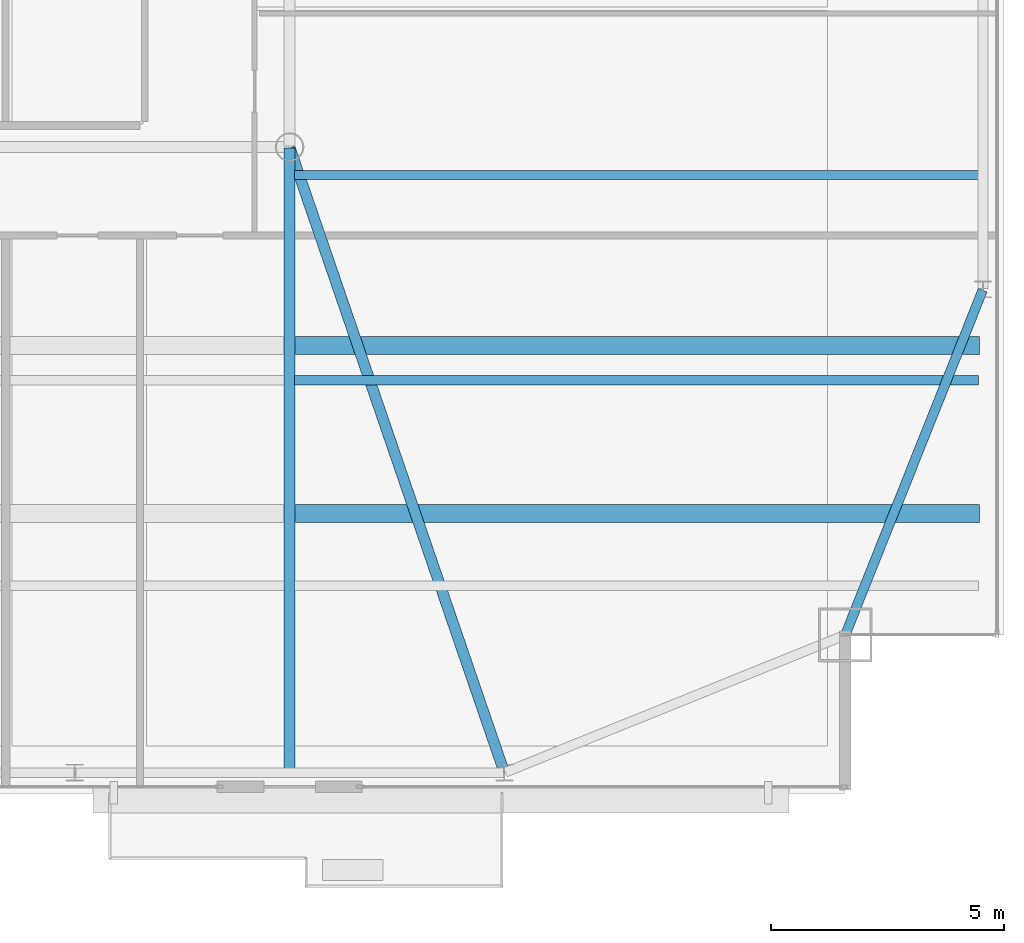
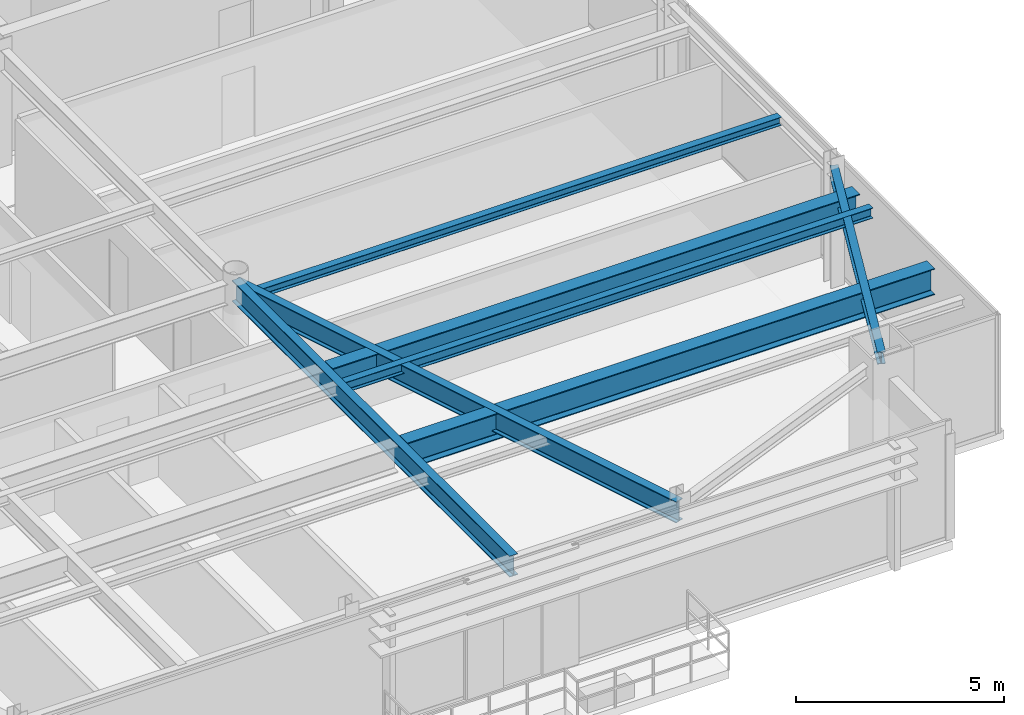
# One storey, part 16 of 28: 7 beams.
"""IFC4 building model written with IfcOpenShell, lengths in metres."""

import ifcopenshell
import ifcopenshell.guid

model = None  # the IFC model being written
_history = None  # IfcOwnerHistory: only IFC2X3 demands one
_inside = {}  # id of a spatial element -> (the spatial element, [elements in it])
_under = {}  # id of a project, library or spatial element -> (it, [spatial elements below it])
_declared = {}  # id of a project -> (the project, [libraries it declares])
_typed = {}  # id of a type object -> (the type object, [elements of that type])
_made_of = {}  # id of a material, layer set ... -> (it, [elements and type objects made of it])


def new_model(schema):
    """Start an empty IFC model of exactly this schema.

    Asked for "IFC4X3", IfcOpenShell would pick the latest addendum, in which some entities
    have other attributes; the version numbers below select the first issue.
    IFC2X3 requires an IfcOwnerHistory on every rooted entity: one is made here for all.
    """
    global model, _history
    if schema == "IFC4X3":
        model = ifcopenshell.file(schema_version=(4, 3, 0, 0))
    else:
        model = ifcopenshell.file(schema=schema)
    _inside.clear()
    _under.clear()
    _declared.clear()
    _typed.clear()
    _made_of.clear()
    _history = None
    if model.schema == "IFC2X3":
        org = make("IfcOrganization", Name="unknown")
        user = make(
            "IfcPersonAndOrganization",
            ThePerson=make("IfcPerson", FamilyName="unknown"),
            TheOrganization=org,
        )
        app = make(
            "IfcApplication",
            ApplicationDeveloper=org,
            Version="unknown",
            ApplicationFullName="unknown",
            ApplicationIdentifier="unknown",
        )
        _history = make(
            "IfcOwnerHistory",
            OwningUser=user,
            OwningApplication=app,
            ChangeAction="ADDED",
            CreationDate=0,
        )
    return model


def make(cls, **values):
    """One entity of the class cls with the attributes given. An attribute that is None is left unset."""
    return model.create_entity(
        cls, **{name: value for name, value in values.items() if value is not None}
    )


def rooted(cls, **values):
    """An entity with a GlobalId (a new one), such as an element, a storey or a relation."""
    return make(cls, GlobalId=ifcopenshell.guid.new(), OwnerHistory=_history, **values)


def si_unit(unit_type, name, prefix=None):
    """IfcSIUnit, for example si_unit("LENGTHUNIT", "METRE", prefix="MILLI")."""
    return make("IfcSIUnit", UnitType=unit_type, Prefix=prefix, Name=name)


def assignment(units):
    """IfcUnitAssignment: the units of a project."""
    return None if units is None else make("IfcUnitAssignment", Units=units)


def point(xyz):
    """IfcCartesianPoint."""
    return None if xyz is None else make("IfcCartesianPoint", Coordinates=xyz)


def direction(xyz):
    """IfcDirection."""
    return None if xyz is None else make("IfcDirection", DirectionRatios=xyz)


def frame(location, z_axis=None, x_axis=None):
    """IfcAxis2Placement3D, a coordinate frame: its origin and axes. An axis left out is left unset."""
    return make(
        "IfcAxis2Placement3D",
        Location=point(location),
        Axis=direction(z_axis),
        RefDirection=direction(x_axis),
    )


def frame_2d(location, x_axis=None):
    """IfcAxis2Placement2D, a coordinate frame in the plane: its origin and x axis."""
    return make(
        "IfcAxis2Placement2D", Location=point(location), RefDirection=direction(x_axis)
    )


def origin():
    """The frame at (0, 0, 0) with its axes left unset."""
    return frame((0.0, 0.0, 0.0))


def origin_2d():
    """The frame at (0, 0) in the plane with its x axis left unset."""
    return frame_2d((0.0, 0.0))


def place(relative_to, where):
    """IfcLocalPlacement: puts the frame where relative to a parent placement (None: the world)."""
    return make(
        "IfcLocalPlacement", PlacementRelTo=relative_to, RelativePlacement=where
    )


def context(
    kind, dimensions, precision=None, world=None, true_north=None, identifier=None
):
    """IfcGeometricRepresentationContext, for example the 3D "Model" context."""
    return make(
        "IfcGeometricRepresentationContext",
        ContextIdentifier=identifier,
        ContextType=kind,
        CoordinateSpaceDimension=dimensions,
        Precision=precision,
        WorldCoordinateSystem=world,
        TrueNorth=true_north,
    )


def subcontext(parent, identifier, kind, view, scale=None):
    """IfcGeometricRepresentationSubContext, for example "Body" below "Model"."""
    return make(
        "IfcGeometricRepresentationSubContext",
        ContextIdentifier=identifier,
        ContextType=kind,
        ParentContext=parent,
        TargetScale=scale,
        TargetView=view,
    )


def project(units=None, contexts=None):
    """IfcProject with its units and contexts."""
    return rooted(
        "IfcProject",
        Name="project",
        RepresentationContexts=contexts,
        UnitsInContext=assignment(units),
    )


def spatial(cls, under=None, at=None, **own):
    """A site, building, storey or space (cls), placed at a placement, below another one or the project."""
    s = rooted(cls, ObjectPlacement=at, **own)
    if under is not None:
        _under.setdefault(under.id(), (under, []))[1].append(s)
    return s


def profile(cls, at=None, kind="AREA", **sizes):
    """A parametric profile (cls). Its sizes go by their IFC names, for example OverallWidth=200.0."""
    return make(cls, ProfileType=kind, Position=at, **sizes)


def i_section(**sizes):
    """IfcIShapeProfileDef."""
    return profile("IfcIShapeProfileDef", **sizes)


def extrude(swept, where, along, depth):
    """IfcExtrudedAreaSolid: the profile swept, set in the frame where, extruded along a direction by depth."""
    return make(
        "IfcExtrudedAreaSolid",
        SweptArea=swept,
        Position=where,
        ExtrudedDirection=direction(along),
        Depth=depth,
    )


def shape(context_of_items, identifier, shape_type, items):
    """IfcShapeRepresentation: the items that make up one representation, for example the "Body"."""
    return make(
        "IfcShapeRepresentation",
        ContextOfItems=context_of_items,
        RepresentationIdentifier=identifier,
        RepresentationType=shape_type,
        Items=items,
    )


def source(mapping_origin, context_of_items, identifier, shape_type, items):
    """IfcRepresentationMap: a shape defined once, which mapped items show again and again."""
    return make(
        "IfcRepresentationMap",
        MappingOrigin=mapping_origin,
        MappedRepresentation=shape(context_of_items, identifier, shape_type, items),
    )


def transform(
    local_origin,
    x_axis=None,
    y_axis=None,
    z_axis=None,
    scale=None,
    scale2=None,
    scale3=None,
    uniform=True,
):
    """IfcCartesianTransformationOperator3D, or its non-uniform kind. x_axis, y_axis, z_axis: its Axis1, 2, 3."""
    if uniform:
        return make(
            "IfcCartesianTransformationOperator3D",
            Axis1=direction(x_axis),
            Axis2=direction(y_axis),
            LocalOrigin=point(local_origin),
            Scale=scale,
            Axis3=direction(z_axis),
        )
    return make(
        "IfcCartesianTransformationOperator3DnonUniform",
        Axis1=direction(x_axis),
        Axis2=direction(y_axis),
        LocalOrigin=point(local_origin),
        Scale=scale,
        Axis3=direction(z_axis),
        Scale2=scale2,
        Scale3=scale3,
    )


def mapped(mapping_source, mapping_target):
    """IfcMappedItem: shows the shape of a source again, moved by a transform."""
    return make(
        "IfcMappedItem", MappingSource=mapping_source, MappingTarget=mapping_target
    )


def material(Name=None, Category=None):
    """IfcMaterial."""
    return make("IfcMaterial", Name=Name, Category=Category)


def material_profile(
    of_material, cross_section, Name=None, Category=None, Priority=None
):
    """IfcMaterialProfile: a cross section and its material."""
    return make(
        "IfcMaterialProfile",
        Name=Name,
        Material=of_material,
        Profile=cross_section,
        Priority=Priority,
        Category=Category,
    )


def profile_set(profiles, Name=None, composite=None):
    """IfcMaterialProfileSet."""
    return make(
        "IfcMaterialProfileSet",
        Name=Name,
        MaterialProfiles=profiles,
        CompositeProfile=composite,
    )


def made_of(thing, what):
    """Note that an element or type object is made of a material, layer set ...; save() writes the relation."""
    if what is not None:
        _made_of.setdefault(what.id(), (what, []))[1].append(thing)
    return thing


def type_object(cls, material=None, **own):
    """A type object (cls), such as IfcWallType, which elements share."""
    return made_of(rooted(cls, **own), material)


def type_shapes(of_type, sources):
    """Give a type object the sources (RepresentationMaps) that its elements show as mapped items."""
    of_type.RepresentationMaps = sources


def element(
    cls,
    number,
    at=None,
    inside=None,
    cuts=None,
    type_object=None,
    material=None,
    context=None,
    identifier="Body",
    shape_type=None,
    held_by="IfcProductDefinitionShape",
    body=None,
    shapes=None,
    **own,
):
    """One element of the class cls, such as IfcWall. Its Tag is "e" and its number.

    at: its placement. inside: the storey or other place that contains it. cuts: it is an
    opening in that element (IfcRelVoidsElement). A single representation is given by context,
    identifier, shape_type and body (its items); several are given by shapes. held_by: the class
    of the entity that holds the representations. save() writes the other relations.
    """
    e = rooted(cls, Tag="e%d" % number, ObjectPlacement=at, **own)
    if body is not None:
        shapes = [shape(context, identifier, shape_type, body)]
    if shapes is not None:
        e.Representation = make(held_by, Representations=shapes)
    if inside is not None:
        _inside.setdefault(inside.id(), (inside, []))[1].append(e)
    if cuts is not None:
        rooted(
            "IfcRelVoidsElement", RelatingBuildingElement=cuts, RelatedOpeningElement=e
        )
    if type_object is not None:
        _typed.setdefault(type_object.id(), (type_object, []))[1].append(e)
    return made_of(e, material)


def aggregate(whole, parts):
    """IfcRelAggregates: a whole, such as a stair, and the parts it consists of."""
    return rooted("IfcRelAggregates", RelatingObject=whole, RelatedObjects=parts)


def save(model, path):
    """Write the relations noted so far, then the file.

    IfcRelAggregates (storeys below a building ...), IfcRelContainedInSpatialStructure (elements
    in a storey), IfcRelDefinesByType, IfcRelAssociatesMaterial and IfcRelDeclares: one each for
    every whole, place, type object, material and project.
    """
    for whole, parts in _under.values():
        aggregate(whole, parts)
    for where, things in _inside.values():
        rooted(
            "IfcRelContainedInSpatialStructure",
            RelatedElements=things,
            RelatingStructure=where,
        )
    for kind, things in _typed.values():
        rooted("IfcRelDefinesByType", RelatedObjects=things, RelatingType=kind)
    for what, things in _made_of.values():
        rooted("IfcRelAssociatesMaterial", RelatedObjects=things, RelatingMaterial=what)
    for by, libraries in _declared.values():
        rooted("IfcRelDeclares", RelatingContext=by, RelatedDefinitions=libraries)
    model.write(path)


model = new_model("IFC4")

# Units and contexts
model_context = context("Model", 3, precision=1e-05, world=origin(), true_north=direction((0.0, 1.0)))
body_context = subcontext(model_context, "Body", "Model", "MODEL_VIEW")
ifc_project = project(units=[si_unit("LENGTHUNIT", "METRE"), si_unit("AREAUNIT", "SQUARE_METRE"), si_unit("VOLUMEUNIT", "CUBIC_METRE"), si_unit("PLANEANGLEUNIT", "RADIAN"), si_unit("MASSUNIT", "GRAM", prefix="KILO")], contexts=[model_context])

# Site, building, storey
site_placement = place(None, origin())
site = spatial("IfcSite", under=ifc_project, at=site_placement, CompositionType="ELEMENT")
building_placement = place(site_placement, origin())
building = spatial("IfcBuilding", under=site, at=building_placement, Name="Varnel Quay Broadcast Tower", CompositionType="ELEMENT")
storey_placement = place(building_placement, frame((0.0, 0.0, 230.199951171875)))
storey = spatial("IfcBuildingStorey", under=building, at=storey_placement, Name="L57", CompositionType="ELEMENT", Elevation=230.199951171875)

# Beams
ifc_material = material(Name="Structural Steel CSA G40.21 350W", Category="steel")
ifc_material_profile_1 = material_profile(ifc_material, i_section(OverallWidth=0.205078125, OverallDepth=0.35400390625, WebThickness=0.009521484375, FlangeThickness=0.016845703125, FilletRadius=0.012939453125, at=origin_2d()), Name="W360X79")
ifc_profile_set_1 = profile_set([ifc_material_profile_1], Name="Structural Steel CSA G40.21 350W")
beam_type_1 = type_object("IfcBeamType", Name="Beam_W360X79", PredefinedType="SPANDREL", material=ifc_profile_set_1)
shared_shape_1 = source(origin(), body_context, "Body", "SweptSolid", [
    extrude(i_section(OverallWidth=0.205078125, OverallDepth=0.35400390625, WebThickness=0.009521484375, FlangeThickness=0.016845703125, FilletRadius=0.012939453125, at=origin_2d()), origin(), (0.0, 0.0, 1.0), 7.92626953125),
])
type_shapes(beam_type_1, [shared_shape_1])
beam_1_placement = place(storey_placement, frame((55.107421875, 13.61865234375, 3.302978515625), z_axis=(0.370296431883, 0.928913641053, 0.0), x_axis=(-0.928913641053, 0.370296431883, 0.0)))
element("IfcBeam", 1, at=beam_1_placement, inside=storey, type_object=beam_type_1, Name="L57 East Spandrel MC-SE-TC-E1", PredefinedType="SPANDREL", context=body_context, shape_type="MappedRepresentation", body=[
    mapped(shared_shape_1, transform((0.0, 0.0, 0.0), x_axis=(1.0, 0.0, 0.0), y_axis=(0.0, 1.0, 0.0), z_axis=(0.0, 0.0, 1.0), scale=1.0)),
])
ifc_material_profile_2 = material_profile(ifc_material, i_section(OverallWidth=0.22998046875, OverallDepth=0.616943359375, WebThickness=0.01318359375, FlangeThickness=0.022216796875, FilletRadius=0.01611328125, at=origin_2d()), Name="W610X140")
ifc_profile_set_2 = profile_set([ifc_material_profile_2], Name="Structural Steel CSA G40.21 350W")
beam_type_2 = type_object("IfcBeamType", Name="Girder_W610X140", PredefinedType="BEAM", material=ifc_profile_set_2)
shared_shape_2 = source(origin(), body_context, "Body", "SweptSolid", [
    extrude(i_section(OverallWidth=0.22998046875, OverallDepth=0.616943359375, WebThickness=0.01318359375, FlangeThickness=0.022216796875, FilletRadius=0.01611328125, at=origin_2d()), origin(), (0.0, 0.0, 1.0), 14.12744140625),
])
beam_2_placement = place(storey_placement, frame((47.79345703125, 10.6689453125, 3.171630859375), z_axis=(-0.324681288447, 0.945823482967, 0.0), x_axis=(-0.945823482967, -0.324681288447, 0.0)))
element("IfcBeam", 2, at=beam_2_placement, inside=storey, type_object=beam_type_2, Name="L57 Primary Girder TC-S4-IC-02", PredefinedType="BEAM", context=body_context, shape_type="MappedRepresentation", body=[
    mapped(shared_shape_2, transform((0.0, 0.0, 0.0), x_axis=(1.0, 0.0, 0.0), y_axis=(0.0, 1.0, 0.0), z_axis=(0.0, 0.0, 1.0), scale=1.0)),
])
shared_shape_3 = source(origin(), body_context, "Body", "SweptSolid", [
    extrude(i_section(OverallWidth=0.22998046875, OverallDepth=0.616943359375, WebThickness=0.01318359375, FlangeThickness=0.022216796875, FilletRadius=0.01611328125, at=origin_2d()), origin(), (0.0, 0.0, 1.0), 13.360107421875),
])
type_shapes(beam_type_2, [shared_shape_2, shared_shape_3])
beam_3_placement = place(storey_placement, frame((43.199951171875, 10.669921875, 3.171630859375), z_axis=(0.0, 1.0, 0.0), x_axis=(-1.0, 0.0, 0.0)))
element("IfcBeam", 3, at=beam_3_placement, inside=storey, type_object=beam_type_2, Name="L57 N-S Joist Header IC-02S", PredefinedType="BEAM", context=body_context, shape_type="MappedRepresentation", body=[
    mapped(shared_shape_3, transform((0.0, 0.0, 0.0), x_axis=(1.0, 0.0, 0.0), y_axis=(0.0, 1.0, 0.0), z_axis=(0.0, 0.0, 1.0), scale=1.0)),
])
ifc_material_profile_3 = material_profile(ifc_material, i_section(OverallWidth=0.201904296875, OverallDepth=0.2470703125, WebThickness=0.00732421875, FlangeThickness=0.010986328125, FilletRadius=0.010986328125, at=origin_2d()), Name="W250X49")
ifc_profile_set_3 = profile_set([ifc_material_profile_3], Name="Structural Steel CSA G40.21 350W")
beam_type_3 = type_object("IfcBeamType", Name="Beam_W250X49", PredefinedType="JOIST", material=ifc_profile_set_3)
shared_shape_4 = source(origin(), body_context, "Body", "SweptSolid", [
    extrude(i_section(OverallWidth=0.201904296875, OverallDepth=0.2470703125, WebThickness=0.00732421875, FlangeThickness=0.010986328125, FilletRadius=0.010986328125, at=origin_2d()), origin(), (0.0, 0.0, 1.0), 14.642333984375),
])
type_shapes(beam_type_3, [shared_shape_4])
beam_4_placement = place(storey_placement, frame((43.31005859375, 23.449951171875, 3.3564453125), z_axis=(1.0, 0.0, 0.0), x_axis=(0.0, 1.0, 0.0)))
element("IfcBeam", 4, at=beam_4_placement, inside=storey, type_object=beam_type_3, Name="L57 East Floor Joist 3", PredefinedType="JOIST", context=body_context, shape_type="MappedRepresentation", body=[
    mapped(shared_shape_4, transform((0.0, 0.0, 0.0), x_axis=(1.0, 0.0, 0.0), y_axis=(0.0, 1.0, 0.0), z_axis=(0.0, 0.0, 1.0), scale=1.0)),
])
ifc_material_profile_4 = material_profile(ifc_material, i_section(OverallWidth=0.202880859375, OverallDepth=0.302978515625, WebThickness=0.007568359375, FlangeThickness=0.01318359375, FilletRadius=0.011962890625, at=origin_2d()), Name="W310X60")
ifc_profile_set_4 = profile_set([ifc_material_profile_4], Name="Structural Steel CSA G40.21 350W")
beam_type_4 = type_object("IfcBeamType", Name="Beam_W310X60", PredefinedType="JOIST", material=ifc_profile_set_4)
shared_shape_5 = source(origin(), body_context, "Body", "SweptSolid", [
    extrude(i_section(OverallWidth=0.202880859375, OverallDepth=0.302978515625, WebThickness=0.007568359375, FlangeThickness=0.01318359375, FilletRadius=0.011962890625, at=origin_2d()), origin(), (0.0, 0.0, 1.0), 14.642333984375),
])
type_shapes(beam_type_4, [shared_shape_5])
beam_5_placement = place(storey_placement, frame((43.31005859375, 19.050048828125, 3.32861328125), z_axis=(1.0, 0.0, 0.0), x_axis=(0.0, 1.0, 0.0)))
element("IfcBeam", 5, at=beam_5_placement, inside=storey, type_object=beam_type_4, Name="L57 East Floor Joist 2", PredefinedType="JOIST", context=body_context, shape_type="MappedRepresentation", body=[
    mapped(shared_shape_5, transform((0.0, 0.0, 0.0), x_axis=(1.0, 0.0, 0.0), y_axis=(0.0, 1.0, 0.0), z_axis=(0.0, 0.0, 1.0), scale=1.0)),
])
ifc_material_profile_5 = material_profile(ifc_material, i_section(OverallWidth=0.381103515625, OverallDepth=0.77294921875, WebThickness=0.0166015625, FlangeThickness=0.027587890625, FilletRadius=0.01806640625, at=origin_2d()), Name="W760X257")
ifc_profile_set_5 = profile_set([ifc_material_profile_5], Name="Structural Steel CSA G40.21 350W")
beam_type_5 = type_object("IfcBeamType", Name="Girder_W760X257", PredefinedType="BEAM", material=ifc_profile_set_5)
shared_shape_6 = source(origin(), body_context, "Body", "SweptSolid", [
    extrude(i_section(OverallWidth=0.381103515625, OverallDepth=0.77294921875, WebThickness=0.0166015625, FlangeThickness=0.027587890625, FilletRadius=0.01806640625, at=origin_2d()), origin(), (0.0, 0.0, 1.0), 14.639892578125),
])
type_shapes(beam_type_5, [shared_shape_6])
for number, where, z_axis, x_axis, name in (
    (6, (43.330078125, 16.199951171875, 3.093505859375), (1.0, 0.0, 0.0), (0.0, 1.0, 0.0), "L57 Turbine Cradle Support Girder S-E"),
    (7, (43.330078125, 19.800048828125, 3.093505859375), (1.0, 0.0, 0.0), (0.0, 1.0, 0.0), "L57 Turbine Cradle Support Girder N-E"),
):
    element("IfcBeam", number, at=place(storey_placement, frame(where, z_axis=z_axis, x_axis=x_axis)), inside=storey, type_object=beam_type_5, Name=name, PredefinedType="BEAM", context=body_context, shape_type="MappedRepresentation", body=[
        mapped(shared_shape_6, transform((0.0, 0.0, 0.0), x_axis=(1.0, 0.0, 0.0), y_axis=(0.0, 1.0, 0.0), z_axis=(0.0, 0.0, 1.0), scale=1.0)),
    ])

save(model, "model.ifc")
